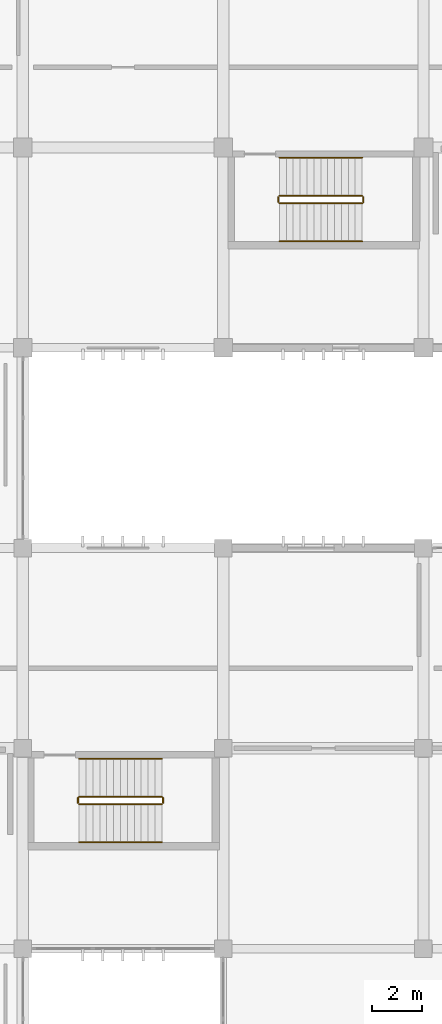
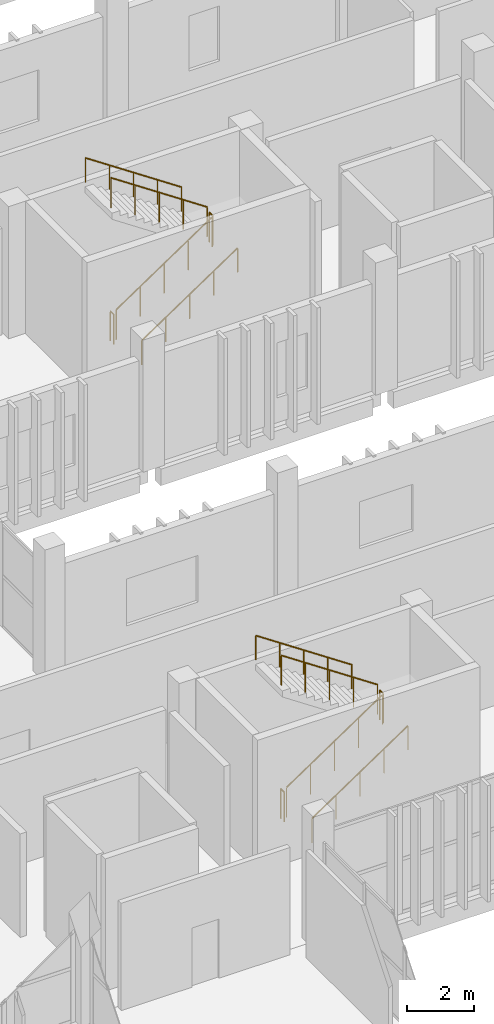
# One storey, part 105 of 106: 12 railings.
"""IFC4 building model written with IfcOpenShell, lengths in metres."""

from ifc_helpers import new_model, si_unit, direction, frame, origin, origin_2d, place, context, subcontext, project, spatial, circle, extrude, material, type_object, element, save


model = new_model("IFC4")

# Units and contexts
model_context = context("Model", 3, precision=1e-05, world=origin(), true_north=direction((0.0, 1.0)))
body_context = subcontext(model_context, "Body", "Model", "MODEL_VIEW")
ifc_project = project(units=[si_unit("LENGTHUNIT", "METRE"), si_unit("AREAUNIT", "SQUARE_METRE"), si_unit("VOLUMEUNIT", "CUBIC_METRE"), si_unit("PLANEANGLEUNIT", "RADIAN"), si_unit("MASSUNIT", "GRAM", prefix="KILO")], contexts=[model_context])

# Site, building, storey
site_placement = place(None, origin())
site = spatial("IfcSite", under=ifc_project, at=site_placement, CompositionType="ELEMENT")
building_placement = place(site_placement, origin())
building = spatial("IfcBuilding", under=site, at=building_placement, Name="Jelvoka-Kovrelna Polytechnic", CompositionType="ELEMENT")
storey_placement = place(building_placement, frame((0.0, 0.0, 4.800048828125)))
storey = spatial("IfcBuildingStorey", under=building, at=storey_placement, Name="L02", CompositionType="ELEMENT", Elevation=4.800048828125)

# Railings
ifc_material_1 = material(Name="Powder-coated steel stair guard", Category="steel")
railing_type_1 = type_object("IfcRailingType", Name="Railing_Stair_Guard_1100", PredefinedType="GUARDRAIL", material=ifc_material_1)
railing_1_placement = place(storey_placement, frame((154.25, 37.77001953125, 0.1845703125)))
element("IfcRailing", 1, at=railing_1_placement, inside=storey, type_object=railing_type_1, Name="L02 ST08 stair guard 1", PredefinedType="GUARDRAIL", context=body_context, shape_type="SweptSolid", body=[
    extrude(circle(Radius=0.02392578125, at=origin_2d()), frame((0.0, 0.0, 1.076171875), z_axis=(0.830269453126, 0.0, 0.557362211857), x_axis=(0.0, 1.0, 0.0)), (0.0, 0.0, 1.0), 3.974609375),
    extrude(circle(Radius=0.02099609375, at=origin_2d()), origin(), (0.0, 0.0, 1.0), 1.052001953125),
    extrude(circle(Radius=0.02099609375, at=origin_2d()), frame((0.824951171875, 0.0, 0.5537109375)), (0.0, 0.0, 1.0), 1.052001953125),
    extrude(circle(Radius=0.02099609375, at=origin_2d()), frame((1.64990234375, 0.0, 1.107666015625)), (0.0, 0.0, 1.0), 1.052001953125),
    extrude(circle(Radius=0.02099609375, at=origin_2d()), frame((2.47509765625, 0.0, 1.66162109375)), (0.0, 0.0, 1.0), 1.052001953125),
    extrude(circle(Radius=0.02099609375, at=origin_2d()), frame((3.300048828125, 0.0, 2.21533203125)), (0.0, 0.0, 1.0), 1.052001953125),
])
railing_2_placement = place(storey_placement, frame((157.60009765625, 37.820068359375, 2.39990234375)))
element("IfcRailing", 2, at=railing_2_placement, inside=storey, type_object=railing_type_1, Name="L02 ST08 stair guard 2", PredefinedType="GUARDRAIL", context=body_context, shape_type="SweptSolid", body=[
    extrude(circle(Radius=0.02392578125, at=origin_2d()), frame((0.0, 0.0, 1.076171875), z_axis=(0.0, 1.0, 0.0), x_axis=(-1.0, 0.0, 0.0)), (0.0, 0.0, 1.0), 0.199951171875),
    extrude(circle(Radius=0.02099609375, at=origin_2d()), origin(), (0.0, 0.0, 1.0), 1.052001953125),
    extrude(circle(Radius=0.02099609375, at=origin_2d()), frame((0.0, 0.199951171875, 0.0)), (0.0, 0.0, 1.0), 1.052001953125),
])
railing_3_placement = place(storey_placement, frame((157.550048828125, 38.070068359375, 2.58447265625)))
element("IfcRailing", 3, at=railing_3_placement, inside=storey, type_object=railing_type_1, Name="L02 ST08 stair guard 3", PredefinedType="GUARDRAIL", context=body_context, shape_type="SweptSolid", body=[
    extrude(circle(Radius=0.02392578125, at=origin_2d()), frame((0.0, 0.0, 1.076171875), z_axis=(-0.830241028356, 0.0, 0.557404552218), x_axis=(0.0, -1.0, 0.0)), (0.0, 0.0, 1.0), 3.974853515625),
    extrude(circle(Radius=0.02099609375, at=origin_2d()), origin(), (0.0, 0.0, 1.0), 1.052001953125),
    extrude(circle(Radius=0.02099609375, at=origin_2d()), frame((-0.824951171875, 0.0, 0.553955078125)), (0.0, 0.0, 1.0), 1.052001953125),
    extrude(circle(Radius=0.02099609375, at=origin_2d()), frame((-1.64990234375, 0.0, 1.10791015625)), (0.0, 0.0, 1.0), 1.052001953125),
    extrude(circle(Radius=0.02099609375, at=origin_2d()), frame((-2.47509765625, 0.0, 1.66162109375)), (0.0, 0.0, 1.0), 1.052001953125),
    extrude(circle(Radius=0.02099609375, at=origin_2d()), frame((-3.300048828125, 0.0, 2.215576171875)), (0.0, 0.0, 1.0), 1.052001953125),
])
railing_4_placement = place(storey_placement, frame((154.199951171875, 37.820068359375, 0.0)))
element("IfcRailing", 4, at=railing_4_placement, inside=storey, type_object=railing_type_1, Name="L02 ST08 stair guard 4", PredefinedType="GUARDRAIL", context=body_context, shape_type="SweptSolid", body=[
    extrude(circle(Radius=0.02392578125, at=origin_2d()), frame((0.0, 0.0, 1.076171875), z_axis=(0.0, 1.0, 0.0), x_axis=(-1.0, 0.0, 0.0)), (0.0, 0.0, 1.0), 0.199951171875),
    extrude(circle(Radius=0.02099609375, at=origin_2d()), origin(), (0.0, 0.0, 1.0), 1.052001953125),
    extrude(circle(Radius=0.02099609375, at=origin_2d()), frame((0.0, 0.199951171875, 0.0)), (0.0, 0.0, 1.0), 1.052001953125),
])
railing_5_placement = place(storey_placement, frame((162.25, 61.77001953125, 0.1845703125)))
element("IfcRailing", 5, at=railing_5_placement, inside=storey, type_object=railing_type_1, Name="L02 ST10 stair guard 1", PredefinedType="GUARDRAIL", context=body_context, shape_type="SweptSolid", body=[
    extrude(circle(Radius=0.02392578125, at=origin_2d()), frame((0.0, 0.0, 1.076171875), z_axis=(0.830269453126, 0.0, 0.557362211857), x_axis=(0.0, 1.0, 0.0)), (0.0, 0.0, 1.0), 3.974609375),
    extrude(circle(Radius=0.02099609375, at=origin_2d()), origin(), (0.0, 0.0, 1.0), 1.052001953125),
    extrude(circle(Radius=0.02099609375, at=origin_2d()), frame((0.824951171875, 0.0, 0.5537109375)), (0.0, 0.0, 1.0), 1.052001953125),
    extrude(circle(Radius=0.02099609375, at=origin_2d()), frame((1.64990234375, 0.0, 1.107666015625)), (0.0, 0.0, 1.0), 1.052001953125),
    extrude(circle(Radius=0.02099609375, at=origin_2d()), frame((2.47509765625, 0.0, 1.66162109375)), (0.0, 0.0, 1.0), 1.052001953125),
    extrude(circle(Radius=0.02099609375, at=origin_2d()), frame((3.300048828125, 0.0, 2.21533203125)), (0.0, 0.0, 1.0), 1.052001953125),
])
railing_6_placement = place(storey_placement, frame((165.60009765625, 61.820068359375, 2.39990234375)))
element("IfcRailing", 6, at=railing_6_placement, inside=storey, type_object=railing_type_1, Name="L02 ST10 stair guard 2", PredefinedType="GUARDRAIL", context=body_context, shape_type="SweptSolid", body=[
    extrude(circle(Radius=0.02392578125, at=origin_2d()), frame((0.0, 0.0, 1.076171875), z_axis=(0.0, 1.0, 0.0), x_axis=(-1.0, 0.0, 0.0)), (0.0, 0.0, 1.0), 0.199951171875),
    extrude(circle(Radius=0.02099609375, at=origin_2d()), origin(), (0.0, 0.0, 1.0), 1.052001953125),
    extrude(circle(Radius=0.02099609375, at=origin_2d()), frame((0.0, 0.199951171875, 0.0)), (0.0, 0.0, 1.0), 1.052001953125),
])
railing_7_placement = place(storey_placement, frame((165.550048828125, 62.070068359375, 2.58447265625)))
element("IfcRailing", 7, at=railing_7_placement, inside=storey, type_object=railing_type_1, Name="L02 ST10 stair guard 3", PredefinedType="GUARDRAIL", context=body_context, shape_type="SweptSolid", body=[
    extrude(circle(Radius=0.02392578125, at=origin_2d()), frame((0.0, 0.0, 1.076171875), z_axis=(-0.830241028356, 0.0, 0.557404552218), x_axis=(0.0, -1.0, 0.0)), (0.0, 0.0, 1.0), 3.974853515625),
    extrude(circle(Radius=0.02099609375, at=origin_2d()), origin(), (0.0, 0.0, 1.0), 1.052001953125),
    extrude(circle(Radius=0.02099609375, at=origin_2d()), frame((-0.824951171875, 0.0, 0.553955078125)), (0.0, 0.0, 1.0), 1.052001953125),
    extrude(circle(Radius=0.02099609375, at=origin_2d()), frame((-1.64990234375, 0.0, 1.10791015625)), (0.0, 0.0, 1.0), 1.052001953125),
    extrude(circle(Radius=0.02099609375, at=origin_2d()), frame((-2.47509765625, 0.0, 1.66162109375)), (0.0, 0.0, 1.0), 1.052001953125),
    extrude(circle(Radius=0.02099609375, at=origin_2d()), frame((-3.300048828125, 0.0, 2.215576171875)), (0.0, 0.0, 1.0), 1.052001953125),
])
railing_8_placement = place(storey_placement, frame((162.199951171875, 61.820068359375, 0.0)))
element("IfcRailing", 8, at=railing_8_placement, inside=storey, type_object=railing_type_1, Name="L02 ST10 stair guard 4", PredefinedType="GUARDRAIL", context=body_context, shape_type="SweptSolid", body=[
    extrude(circle(Radius=0.02392578125, at=origin_2d()), frame((0.0, 0.0, 1.076171875), z_axis=(0.0, 1.0, 0.0), x_axis=(-1.0, 0.0, 0.0)), (0.0, 0.0, 1.0), 0.199951171875),
    extrude(circle(Radius=0.02099609375, at=origin_2d()), origin(), (0.0, 0.0, 1.0), 1.052001953125),
    extrude(circle(Radius=0.02099609375, at=origin_2d()), frame((0.0, 0.199951171875, 0.0)), (0.0, 0.0, 1.0), 1.052001953125),
])
ifc_material_2 = material(Name="Brushed stainless steel handrail", Category="steel")
railing_type_2 = type_object("IfcRailingType", Name="Railing_Stair_Handrail_900", PredefinedType="HANDRAIL", material=ifc_material_2)
railing_9_placement = place(storey_placement, frame((154.25, 36.25, 0.1845703125)))
element("IfcRailing", 9, at=railing_9_placement, inside=storey, type_object=railing_type_2, Name="L02 ST08 stair handrail 1", PredefinedType="HANDRAIL", context=body_context, shape_type="SweptSolid", body=[
    extrude(circle(Radius=0.02392578125, at=origin_2d()), frame((0.0, 0.0, 0.8759765625), z_axis=(0.830269453126, 0.0, 0.557362211857), x_axis=(0.0, 1.0, 0.0)), (0.0, 0.0, 1.0), 3.974609375),
    extrude(circle(Radius=0.02099609375, at=origin_2d()), origin(), (0.0, 0.0, 1.0), 0.851806640625),
    extrude(circle(Radius=0.02099609375, at=origin_2d()), frame((0.824951171875, 0.0, 0.5537109375)), (0.0, 0.0, 1.0), 0.851806640625),
    extrude(circle(Radius=0.02099609375, at=origin_2d()), frame((1.64990234375, 0.0, 1.107666015625)), (0.0, 0.0, 1.0), 0.851806640625),
    extrude(circle(Radius=0.02099609375, at=origin_2d()), frame((2.47509765625, 0.0, 1.66162109375)), (0.0, 0.0, 1.0), 0.851806640625),
    extrude(circle(Radius=0.02099609375, at=origin_2d()), frame((3.300048828125, 0.0, 2.21533203125)), (0.0, 0.0, 1.0), 0.851806640625),
])
railing_10_placement = place(storey_placement, frame((157.550048828125, 39.590087890625, 2.58447265625)))
element("IfcRailing", 10, at=railing_10_placement, inside=storey, type_object=railing_type_2, Name="L02 ST08 stair handrail 2", PredefinedType="HANDRAIL", context=body_context, shape_type="SweptSolid", body=[
    extrude(circle(Radius=0.02392578125, at=origin_2d()), frame((0.0, 0.0, 0.8759765625), z_axis=(-0.830241028356, 0.0, 0.557404552218), x_axis=(0.0, -1.0, 0.0)), (0.0, 0.0, 1.0), 3.974853515625),
    extrude(circle(Radius=0.02099609375, at=origin_2d()), origin(), (0.0, 0.0, 1.0), 0.851806640625),
    extrude(circle(Radius=0.02099609375, at=origin_2d()), frame((-0.824951171875, 0.0, 0.553955078125)), (0.0, 0.0, 1.0), 0.851806640625),
    extrude(circle(Radius=0.02099609375, at=origin_2d()), frame((-1.64990234375, 0.0, 1.10791015625)), (0.0, 0.0, 1.0), 0.851806640625),
    extrude(circle(Radius=0.02099609375, at=origin_2d()), frame((-2.47509765625, 0.0, 1.66162109375)), (0.0, 0.0, 1.0), 0.851806640625),
    extrude(circle(Radius=0.02099609375, at=origin_2d()), frame((-3.300048828125, 0.0, 2.215576171875)), (0.0, 0.0, 1.0), 0.851806640625),
])
railing_11_placement = place(storey_placement, frame((162.25, 60.25, 0.1845703125)))
element("IfcRailing", 11, at=railing_11_placement, inside=storey, type_object=railing_type_2, Name="L02 ST10 stair handrail 1", PredefinedType="HANDRAIL", context=body_context, shape_type="SweptSolid", body=[
    extrude(circle(Radius=0.02392578125, at=origin_2d()), frame((0.0, 0.0, 0.8759765625), z_axis=(0.830269453126, 0.0, 0.557362211857), x_axis=(0.0, 1.0, 0.0)), (0.0, 0.0, 1.0), 3.974609375),
    extrude(circle(Radius=0.02099609375, at=origin_2d()), origin(), (0.0, 0.0, 1.0), 0.851806640625),
    extrude(circle(Radius=0.02099609375, at=origin_2d()), frame((0.824951171875, 0.0, 0.5537109375)), (0.0, 0.0, 1.0), 0.851806640625),
    extrude(circle(Radius=0.02099609375, at=origin_2d()), frame((1.64990234375, 0.0, 1.107666015625)), (0.0, 0.0, 1.0), 0.851806640625),
    extrude(circle(Radius=0.02099609375, at=origin_2d()), frame((2.47509765625, 0.0, 1.66162109375)), (0.0, 0.0, 1.0), 0.851806640625),
    extrude(circle(Radius=0.02099609375, at=origin_2d()), frame((3.300048828125, 0.0, 2.21533203125)), (0.0, 0.0, 1.0), 0.851806640625),
])
railing_12_placement = place(storey_placement, frame((165.550048828125, 63.590087890625, 2.58447265625)))
element("IfcRailing", 12, at=railing_12_placement, inside=storey, type_object=railing_type_2, Name="L02 ST10 stair handrail 2", PredefinedType="HANDRAIL", context=body_context, shape_type="SweptSolid", body=[
    extrude(circle(Radius=0.02392578125, at=origin_2d()), frame((0.0, 0.0, 0.8759765625), z_axis=(-0.830241028356, 0.0, 0.557404552218), x_axis=(0.0, -1.0, 0.0)), (0.0, 0.0, 1.0), 3.974853515625),
    extrude(circle(Radius=0.02099609375, at=origin_2d()), origin(), (0.0, 0.0, 1.0), 0.851806640625),
    extrude(circle(Radius=0.02099609375, at=origin_2d()), frame((-0.824951171875, 0.0, 0.553955078125)), (0.0, 0.0, 1.0), 0.851806640625),
    extrude(circle(Radius=0.02099609375, at=origin_2d()), frame((-1.64990234375, 0.0, 1.10791015625)), (0.0, 0.0, 1.0), 0.851806640625),
    extrude(circle(Radius=0.02099609375, at=origin_2d()), frame((-2.47509765625, 0.0, 1.66162109375)), (0.0, 0.0, 1.0), 0.851806640625),
    extrude(circle(Radius=0.02099609375, at=origin_2d()), frame((-3.300048828125, 0.0, 2.215576171875)), (0.0, 0.0, 1.0), 0.851806640625),
])

save(model, "model.ifc")
